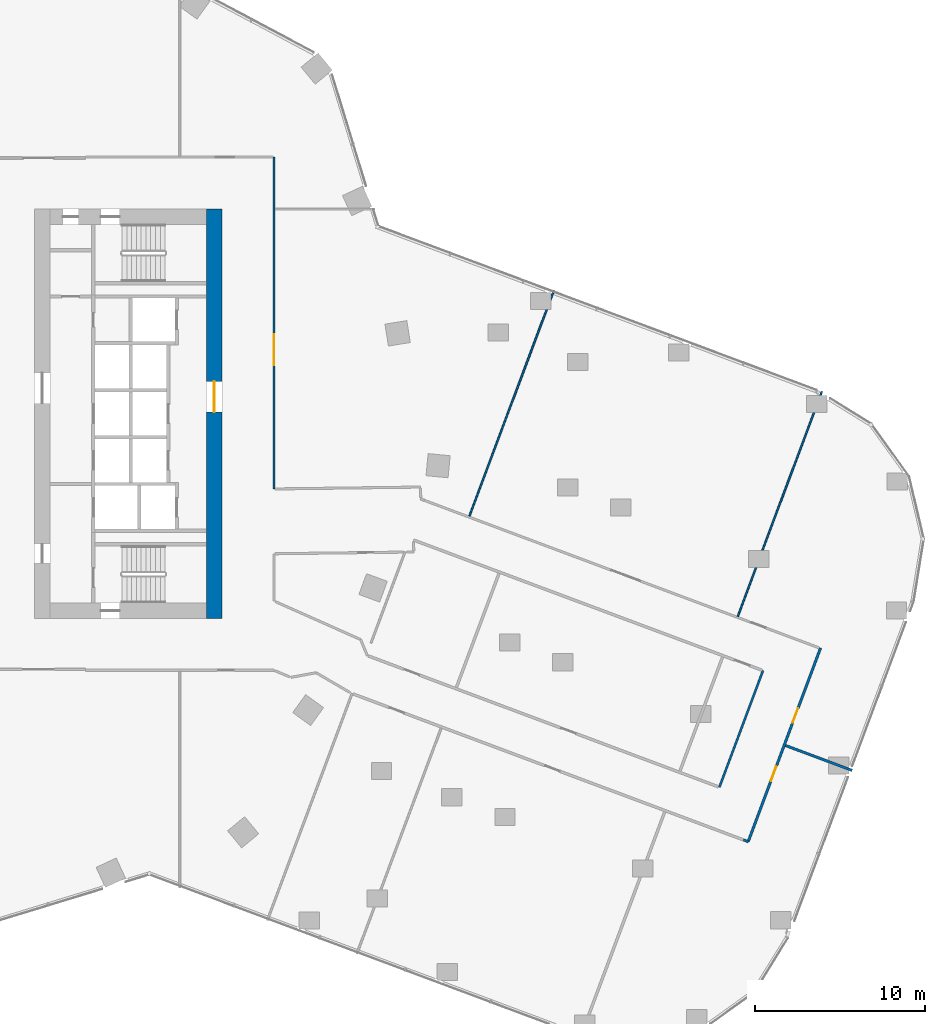
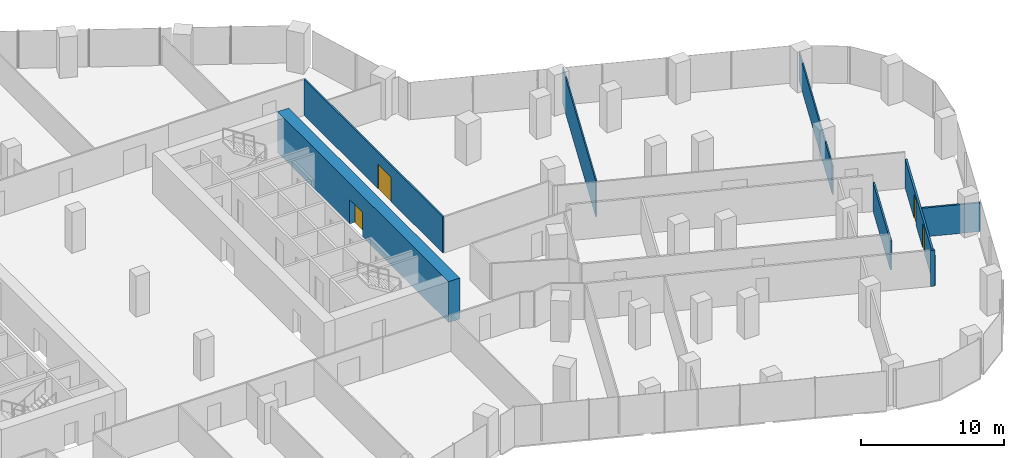
# One storey, part 27 of 31: 8 walls, 4 doors, 4 openings.
"""IFC4 building model written with IfcOpenShell, lengths in metres."""

from ifc_helpers import new_model, si_unit, direction, frame, frame_2d, origin, place, context, subcontext, project, spatial, rectangle, extrude, material, layer, layer_set, type_object, element, fill, save


model = new_model("IFC4")

# Units and contexts
model_context = context("Model", 3, precision=1e-05, world=origin(), true_north=direction((0.0, 1.0)))
body_context = subcontext(model_context, "Body", "Model", "MODEL_VIEW")
ifc_project = project(units=[si_unit("LENGTHUNIT", "METRE"), si_unit("AREAUNIT", "SQUARE_METRE"), si_unit("VOLUMEUNIT", "CUBIC_METRE"), si_unit("PLANEANGLEUNIT", "RADIAN"), si_unit("MASSUNIT", "GRAM", prefix="KILO")], contexts=[model_context])

# Site, building, storey
site_placement = place(None, origin())
site = spatial("IfcSite", under=ifc_project, at=site_placement, CompositionType="ELEMENT")
building_placement = place(site_placement, origin())
building = spatial("IfcBuilding", under=site, at=building_placement, Name="Orlundy Tower", CompositionType="ELEMENT")
storey_placement = place(building_placement, frame((0.0, 0.0, 91.199951171875)))
storey = spatial("IfcBuildingStorey", under=building, at=storey_placement, Name="L22", CompositionType="ELEMENT", Elevation=91.199951171875)

# Wall, opening, door
ifc_material_1 = material(Name="Concrete C80/95", Category="concrete")
ifc_layer_1 = layer(ifc_material_1, 0.89990234375)
ifc_layer_set_1 = layer_set([ifc_layer_1], Name="CORE WALL 900 C80/95")
wall_type_1 = type_object("IfcWallType", Name="CORE WALL 900 C80/95", PredefinedType="SHEAR", material=ifc_layer_set_1)
wall_1_placement = place(storey_placement, frame((18.550048828125, -12.0, 0.0), z_axis=(0.0, 0.0, 1.0), x_axis=(0.0, 1.0, 0.0)))
wall_1 = element("IfcWall", 1, at=wall_1_placement, inside=storey, type_object=wall_type_1, Name="Core wall E-E L22", PredefinedType="SHEAR", context=body_context, shape_type="SweptSolid", body=[
    extrude(rectangle(XDim=24.0, YDim=0.89990234375, at=frame_2d((12.0, 0.0))), origin(), (0.0, 0.0, 1.0), 3.5),
])
opening_1_placement = place(wall_1_placement, frame((12.10009765625, 0.0, 0.0)))
opening_1 = element("IfcOpeningElement", 2, at=opening_1_placement, cuts=wall_1, Name="Opening 18059", PredefinedType="OPENING", context=body_context, shape_type="SweptSolid", body=[
    extrude(rectangle(XDim=1.800048828125, YDim=2.10009765625, at=frame_2d((0.89990234375, 1.050048828125))), frame((0.0, 0.4599609375, 0.0), z_axis=(0.0, -1.0, 0.0), x_axis=(1.0, 0.0, 0.0)), (0.0, 0.0, 1.0), 0.919921875),
])
ifc_material_2 = material(Name="Timber door set", Category="wood")
door_type_1 = type_object("IfcDoorType", Name="Lobby Door 1800x2100", OperationType="DOUBLE_DOOR_DOUBLE_SWING", PredefinedType="DOOR", material=ifc_material_2)
door_1_placement = place(opening_1_placement, origin())
door_1 = element("IfcDoor", 3, at=door_1_placement, inside=storey, type_object=door_type_1, Name="Lift lobby door 18059", OperationType="SINGLE_SWING_RIGHT", OverallHeight=2.10009765625, OverallWidth=1.800048828125, PredefinedType="DOOR", context=body_context, shape_type="SweptSolid", body=[
    extrude(rectangle(XDim=1.800048828125, YDim=2.10009765625, at=frame_2d((0.89990234375, 1.050048828125))), frame((0.0, 0.02490234375, 0.0), z_axis=(0.0, -1.0, 0.0), x_axis=(1.0, 0.0, 0.0)), (0.0, 0.0, 1.0), 0.050048828125),
])
fill(opening_1, door_1)

# Walls
ifc_material_3 = material(Name="Gypsum board partition")
ifc_layer_2 = layer(ifc_material_3, 0.10009765625)
ifc_layer_set_2 = layer_set([ifc_layer_2], Name="Floor partition 100")
wall_type_2 = type_object("IfcWallType", Name="Floor partition 100", PredefinedType="PARTITIONING", material=ifc_layer_set_2)
wall_2_placement = place(storey_placement, frame((33.51611328125, -6.00390625, 0.0), z_axis=(0.0, 0.0, 1.0), x_axis=(0.350228055147, 0.936664459338, 0.0)))
element("IfcWall", 4, at=wall_2_placement, inside=storey, type_object=wall_type_2, Name="wall-int-L22-068", PredefinedType="PARTITIONING", context=body_context, shape_type="SweptSolid", body=[
    extrude(rectangle(XDim=14.13623046875, YDim=0.10009765625, at=frame_2d((7.068115234375, 0.0))), origin(), (0.0, 0.0, 1.0), 3.080078125),
])
ifc_material_4 = material(Name="Gypsum board partition")
ifc_layer_3 = layer(ifc_material_4, 0.10009765625)
ifc_layer_set_3 = layer_set([ifc_layer_3], Name="Floor partition 100 B")
wall_type_3 = type_object("IfcWallType", Name="Floor partition 100 B", PredefinedType="PARTITIONING", material=ifc_layer_set_3)
wall_3_placement = place(storey_placement, frame((49.256103515625, -11.888916015625, 0.0), z_axis=(0.0, 0.0, 1.0), x_axis=(0.35014670301, 0.936694873676, 0.0)))
element("IfcWall", 5, at=wall_3_placement, inside=storey, type_object=wall_type_3, Name="wall-int-L22-065", PredefinedType="PARTITIONING", context=body_context, shape_type="SweptSolid", body=[
    extrude(rectangle(XDim=14.08251953125, YDim=0.10009765625, at=frame_2d((7.041259765625, 0.0))), origin(), (0.0, 0.0, 1.0), 2.445068359375),
])

# Wall, opening, door
ifc_material_5 = material(Name="Gypsum board partition, double layer")
ifc_layer_4 = layer(ifc_material_5, 0.125)
ifc_layer_set_4 = layer_set([ifc_layer_4], Name="Floor partition 125")
wall_type_4 = type_object("IfcWallType", Name="Floor partition 125", PredefinedType="PARTITIONING", material=ifc_layer_set_4)
wall_4_placement = place(storey_placement, frame((22.051025390625, 15.050048828125, 0.0), z_axis=(0.0, 0.0, 1.0), x_axis=(0.0, -1.0, 0.0)))
wall_4 = element("IfcWall", 6, at=wall_4_placement, inside=storey, type_object=wall_type_4, Name="wall-int-L22-076", PredefinedType="PARTITIONING", context=body_context, shape_type="SweptSolid", body=[
    extrude(rectangle(XDim=19.464111328125, YDim=0.125, at=frame_2d((9.73193359375, 0.0))), origin(), (0.0, 0.0, 1.0), 3.080078125),
])
opening_2_placement = place(wall_4_placement, frame((10.39990234375, 0.0, 0.0)))
opening_2 = element("IfcOpeningElement", 7, at=opening_2_placement, cuts=wall_4, Name="Opening 18130", PredefinedType="OPENING", context=body_context, shape_type="SweptSolid", body=[
    extrude(rectangle(XDim=1.800048828125, YDim=2.10009765625, at=frame_2d((0.89990234375, 1.050048828125))), frame((0.0, 0.072509765625, 0.0), z_axis=(0.0, -1.0, 0.0), x_axis=(1.0, 0.0, 0.0)), (0.0, 0.0, 1.0), 0.14501953125),
])
ifc_material_6 = material(Name="Timber door leaf", Category="wood")
door_type_2 = type_object("IfcDoorType", Name="Floor door double 1800 FD30S", OperationType="NOTDEFINED", PredefinedType="DOOR", material=ifc_material_6)
door_2_placement = place(opening_2_placement, origin())
door_2 = element("IfcDoor", 8, at=door_2_placement, inside=storey, type_object=door_type_2, Name="Door 18130", OperationType="DOUBLE_DOOR_SINGLE_SWING", OverallHeight=2.10009765625, OverallWidth=1.800048828125, PredefinedType="DOOR", context=body_context, shape_type="SweptSolid", body=[
    extrude(rectangle(XDim=1.800048828125, YDim=2.10009765625, at=frame_2d((0.89990234375, 1.050048828125))), frame((0.0, 0.02490234375, 0.0), z_axis=(0.0, -1.0, 0.0), x_axis=(1.0, 0.0, 0.0)), (0.0, 0.0, 1.0), 0.050048828125),
])
fill(opening_2, door_2)

# Walls
ifc_material_7 = material(Name="Gypsum board partition, double layer")
ifc_layer_5 = layer(ifc_material_7, 0.125)
ifc_layer_set_5 = layer_set([ifc_layer_5], Name="Floor partition 125 B")
wall_type_5 = type_object("IfcWallType", Name="Floor partition 125 B", PredefinedType="PARTITIONING", material=ifc_layer_set_5)
wall_5_placement = place(storey_placement, frame((48.177978515625, -21.908935546875, 0.0), z_axis=(0.0, 0.0, 1.0), x_axis=(0.350170212359, 0.93668608529, 0.0)))
element("IfcWall", 9, at=wall_5_placement, inside=storey, type_object=wall_type_5, Name="wall-int-L22-062", PredefinedType="PARTITIONING", context=body_context, shape_type="SweptSolid", body=[
    extrude(rectangle(XDim=7.299072265625, YDim=0.125, at=frame_2d((3.6494140625, 0.0))), origin(), (0.0, 0.0, 1.0), 2.468994140625),
])
ifc_material_8 = material(Name="Blockwork shaft wall", Category="masonry")
ifc_layer_6 = layer(ifc_material_8, 0.14990234375)
ifc_layer_set_6 = layer_set([ifc_layer_6], Name="Floor shaft wall 150")
wall_type_6 = type_object("IfcWallType", Name="Floor shaft wall 150", PredefinedType="PARTITIONING", material=ifc_layer_set_6)
wall_6_placement = place(storey_placement, frame((49.5869140625, -24.9990234375, 0.0), z_axis=(0.0, 0.0, 1.0), x_axis=(0.93595848705, -0.352110366957, 0.0)))
element("IfcWall", 10, at=wall_6_placement, inside=storey, type_object=wall_type_6, Name="wall-int-L22-022", PredefinedType="PARTITIONING", context=body_context, shape_type="SweptSolid", body=[
    extrude(rectangle(XDim=0.298095703125, YDim=0.14990234375, at=frame_2d((0.14892578125, 0.0))), origin(), (0.0, 0.0, 1.0), 3.080078125),
])
ifc_material_9 = material(Name="Blockwork shaft wall", Category="masonry")
ifc_layer_7 = layer(ifc_material_9, 0.14990234375)
ifc_layer_set_7 = layer_set([ifc_layer_7], Name="Floor shaft wall 150 B")
wall_type_7 = type_object("IfcWallType", Name="Floor shaft wall 150 B", PredefinedType="PARTITIONING", material=ifc_layer_set_7)
wall_7_placement = place(storey_placement, frame((52.055908203125, -19.462890625, 0.0), z_axis=(0.0, 0.0, 1.0), x_axis=(0.936655632934, -0.350251659943, 0.0)))
element("IfcWall", 11, at=wall_7_placement, inside=storey, type_object=wall_type_7, Name="wall-int-L22-025", PredefinedType="PARTITIONING", context=body_context, shape_type="SweptSolid", body=[
    extrude(rectangle(XDim=4.174560546875, YDim=0.14990234375, at=frame_2d((2.08740234375, 0.0))), origin(), (0.0, 0.0, 1.0), 2.468994140625),
])

# Wall, openings, doors
wall_8_placement = place(storey_placement, frame((54.113037109375, -13.740966796875, 0.0), z_axis=(0.0, 0.0, 1.0), x_axis=(-0.350035835617, -0.936736309632, 0.0)))
wall_8 = element("IfcWall", 12, at=wall_8_placement, inside=storey, type_object=wall_type_7, Name="wall-int-L22-061", PredefinedType="PARTITIONING", context=body_context, shape_type="SweptSolid", body=[
    extrude(rectangle(XDim=12.13037109375, YDim=0.14990234375, at=frame_2d((6.065185546875, 0.0))), origin(), (0.0, 0.0, 1.0), 2.468994140625),
])
opening_3_placement = place(wall_8_placement, frame((3.77978515625, 0.0, 0.0)))
opening_3 = element("IfcOpeningElement", 13, at=opening_3_placement, cuts=wall_8, Name="Opening 18105", PredefinedType="OPENING", context=body_context, shape_type="SweptSolid", body=[
    extrude(rectangle(XDim=0.89990234375, YDim=2.10009765625, at=frame_2d((0.449951171875, 1.050048828125))), frame((0.0, 0.0849609375, 0.0), z_axis=(0.0, -1.0, 0.0), x_axis=(1.0, 0.0, 0.0)), (0.0, 0.0, 1.0), 0.169921875),
])
opening_4_placement = place(wall_8_placement, frame((7.429931640625, 0.0, 0.0)))
opening_4 = element("IfcOpeningElement", 14, at=opening_4_placement, cuts=wall_8, Name="Opening 18106", PredefinedType="OPENING", context=body_context, shape_type="SweptSolid", body=[
    extrude(rectangle(XDim=0.89990234375, YDim=2.10009765625, at=frame_2d((0.449951171875, 1.050048828125))), frame((0.0, 0.0849609375, 0.0), z_axis=(0.0, -1.0, 0.0), x_axis=(1.0, 0.0, 0.0)), (0.0, 0.0, 1.0), 0.169921875),
])
ifc_material_10 = material(Name="Timber door leaf", Category="wood")
door_type_3 = type_object("IfcDoorType", Name="Floor door single 900 FD60", OperationType="NOTDEFINED", PredefinedType="DOOR", material=ifc_material_10)
door_3_placement = place(opening_3_placement, origin())
door_3 = element("IfcDoor", 15, at=door_3_placement, inside=storey, type_object=door_type_3, Name="Door 18105", OperationType="SINGLE_SWING_LEFT", OverallHeight=2.10009765625, OverallWidth=0.89990234375, PredefinedType="DOOR", context=body_context, shape_type="SweptSolid", body=[
    extrude(rectangle(XDim=0.89990234375, YDim=2.10009765625, at=frame_2d((0.449951171875, 1.050048828125))), frame((0.0, 0.02490234375, 0.0), z_axis=(0.0, -1.0, 0.0), x_axis=(1.0, 0.0, 0.0)), (0.0, 0.0, 1.0), 0.050048828125),
])
fill(opening_3, door_3)
door_4_placement = place(opening_4_placement, origin())
door_4 = element("IfcDoor", 16, at=door_4_placement, inside=storey, type_object=door_type_3, Name="Door 18106", OperationType="SINGLE_SWING_RIGHT", OverallHeight=2.10009765625, OverallWidth=0.89990234375, PredefinedType="DOOR", context=body_context, shape_type="SweptSolid", body=[
    extrude(rectangle(XDim=0.89990234375, YDim=2.10009765625, at=frame_2d((0.449951171875, 1.050048828125))), frame((0.0, 0.02490234375, 0.0), z_axis=(0.0, -1.0, 0.0), x_axis=(1.0, 0.0, 0.0)), (0.0, 0.0, 1.0), 0.050048828125),
])
fill(opening_4, door_4)

save(model, "model.ifc")
